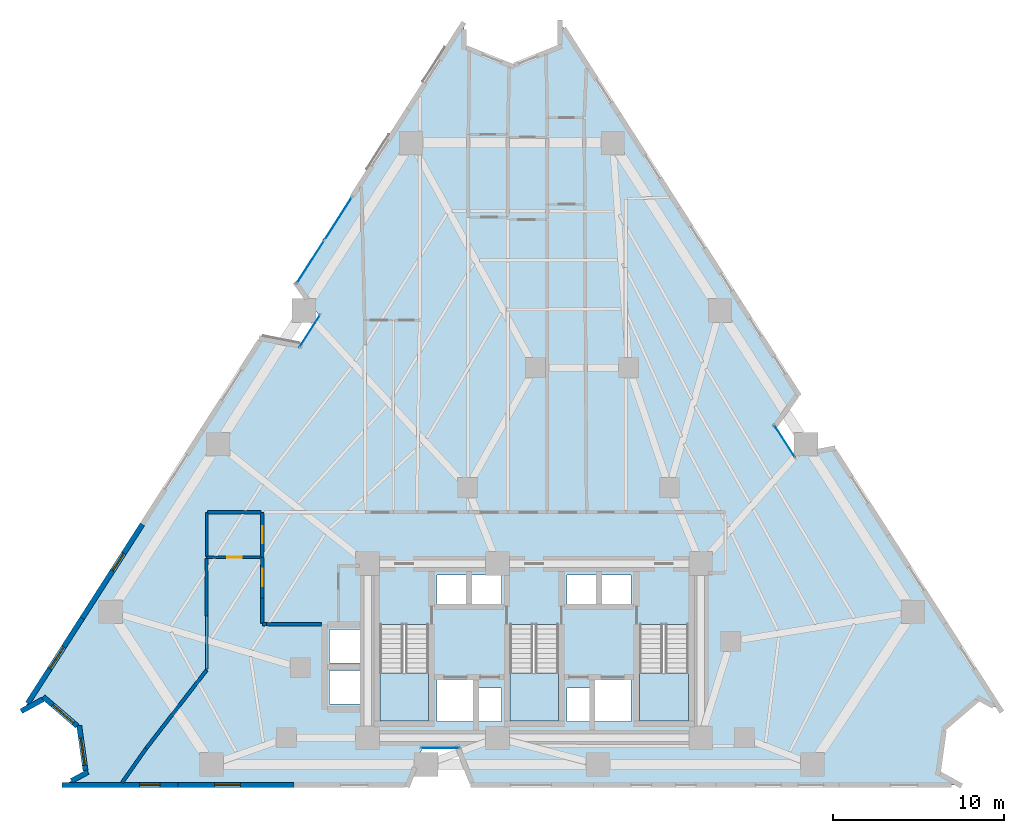
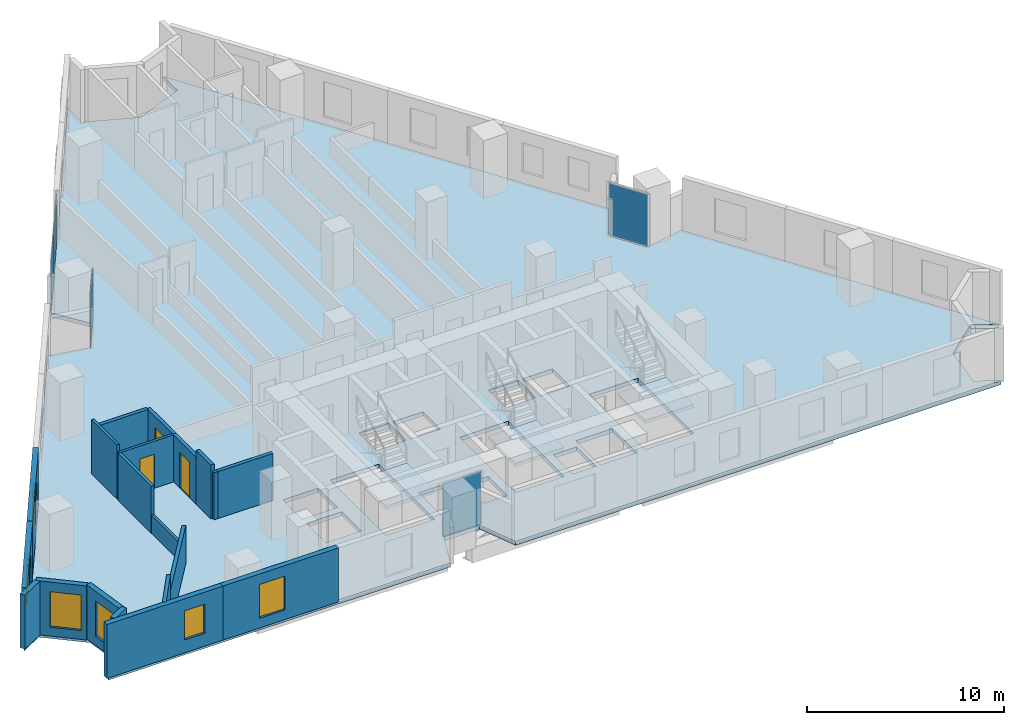
# One storey, part 7 of 13: 20 walls, 6 windows, 5 plates, 4 slabs, 3 doors, 9 openings, 7 elements without a shape of their own.
"""IFC4 building model written with IfcOpenShell, lengths in metres."""

from ifc_helpers import new_model, si_unit, direction, frame, frame_2d, origin, origin_2d, place, context, subcontext, project, spatial, polyline, rectangle, outline, extrude, material, layer, layer_set, type_object, element, fill, aggregate, save


model = new_model("IFC4")

# Units and contexts
model_context = context("Model", 3, precision=1e-05, world=origin(), true_north=direction((0.0, 1.0)))
body_context = subcontext(model_context, "Body", "Model", "MODEL_VIEW")
ifc_project = project(units=[si_unit("LENGTHUNIT", "METRE"), si_unit("AREAUNIT", "SQUARE_METRE"), si_unit("VOLUMEUNIT", "CUBIC_METRE"), si_unit("PLANEANGLEUNIT", "RADIAN"), si_unit("MASSUNIT", "GRAM", prefix="KILO")], contexts=[model_context])

# Site, building, storey
site_placement = place(None, origin())
site = spatial("IfcSite", under=ifc_project, at=site_placement, CompositionType="ELEMENT")
building_placement = place(site_placement, origin())
building = spatial("IfcBuilding", under=site, at=building_placement, Name="Almagre Mirador Tower", CompositionType="ELEMENT")
storey_placement = place(building_placement, frame((0.0, 0.0, 49.800048828125)))
storey = spatial("IfcBuildingStorey", under=building, at=storey_placement, Name="L11", CompositionType="ELEMENT", Elevation=49.800048828125)

# Curtain wall, plate
ifc_material_1 = material(Name="Black anodized aluminium", Category="aluminium")
ifc_layer_1 = layer(ifc_material_1, 0.169921875)
ifc_layer_set_1 = layer_set([ifc_layer_1], Name="Black anodized aluminium")
curtain_wall_type_1 = type_object("IfcCurtainWallType", Name="CW-CRS-SYS", PredefinedType="NOTDEFINED", material=ifc_layer_set_1)
curtain_wall_1_placement = place(storey_placement, origin())
curtain_wall_1 = element("IfcCurtainWall", 1, at=curtain_wall_1_placement, inside=storey, type_object=curtain_wall_type_1, Name="L11 vertical crease curtain wall 01", PredefinedType="NOTDEFINED")
ifc_material_2 = material(Name="Dark solar-control laminated hurricane glass", Category="glass")
ifc_layer_2 = layer(ifc_material_2, 0.028076171875)
ifc_layer_set_2 = layer_set([ifc_layer_2], Name="Dark solar-control laminated hurricane glass")
plate_type_1 = type_object("IfcPlateType", Name="PLT-GLZ-28", PredefinedType="CURTAIN_PANEL", material=ifc_layer_set_2)
plate_1_placement = place(storey_placement, frame((24.173095703125, 28.359619140625, 0.06005859375), z_axis=(0.0, 0.0, 1.0), x_axis=(0.539848636718, 0.841762109764, 0.0)))
plate_1 = element("IfcPlate", 2, at=plate_1_placement, type_object=plate_type_1, Name="CW-4 panel 1.1", PredefinedType="CURTAIN_PANEL", context=body_context, shape_type="SweptSolid", body=[
    extrude(rectangle(XDim=2.24951171875, YDim=0.028076171875, at=origin_2d()), origin(), (0.0, 0.0, 1.0), 3.22998046875),
])
aggregate(curtain_wall_1, [plate_1])

curtain_wall_2_placement = place(storey_placement, origin())
curtain_wall_2 = element("IfcCurtainWall", 3, at=curtain_wall_2_placement, inside=storey, type_object=curtain_wall_type_1, Name="L11 vertical crease curtain wall 03", PredefinedType="NOTDEFINED")
plate_2_placement = place(storey_placement, frame((51.952880859375, 21.92041015625, 0.06005859375), z_axis=(0.0, 0.0, 1.0), x_axis=(0.539848636718, -0.841762109764, 0.0)))
plate_2 = element("IfcPlate", 4, at=plate_2_placement, type_object=plate_type_1, Name="CW-4 panel 1.1", PredefinedType="CURTAIN_PANEL", context=body_context, shape_type="SweptSolid", body=[
    extrude(rectangle(XDim=2.24951171875, YDim=0.028076171875, at=origin_2d()), origin(), (0.0, 0.0, 1.0), 3.22998046875),
])
aggregate(curtain_wall_2, [plate_2])

curtain_wall_3_placement = place(storey_placement, origin())
curtain_wall_3 = element("IfcCurtainWall", 5, at=curtain_wall_3_placement, inside=storey, type_object=curtain_wall_type_1, Name="L11 vertical crease curtain wall 04", PredefinedType="NOTDEFINED")
plate_3_placement = place(storey_placement, frame((31.80810546875, 3.949951171875, 0.06005859375), z_axis=(0.0, 0.0, 1.0), x_axis=(-1.0, 0.0, 0.0)))
plate_3 = element("IfcPlate", 6, at=plate_3_placement, type_object=plate_type_1, Name="CW-4 panel 1.1", PredefinedType="CURTAIN_PANEL", context=body_context, shape_type="SweptSolid", body=[
    extrude(rectangle(XDim=2.25, YDim=0.028076171875, at=origin_2d()), origin(), (0.0, 0.0, 1.0), 3.22998046875),
])
aggregate(curtain_wall_3, [plate_3])

# Curtain wall, plates
ifc_material_3 = material(Name="Black anodized aluminium", Category="aluminium")
ifc_layer_3 = layer(ifc_material_3, 0.18994140625)
ifc_layer_set_3 = layer_set([ifc_layer_3], Name="Black anodized aluminium")
curtain_wall_type_2 = type_object("IfcCurtainWallType", Name="CW-RES-L-SYS", PredefinedType="NOTDEFINED", material=ifc_layer_set_3)
curtain_wall_4_placement = place(storey_placement, origin())
curtain_wall_4 = element("IfcCurtainWall", 7, at=curtain_wall_4_placement, inside=storey, type_object=curtain_wall_type_2, Name="L11 curtain wall run 02", PredefinedType="NOTDEFINED")
ifc_material_4 = material(Name="Dark solar-control laminated hurricane glass", Category="glass")
ifc_layer_4 = layer(ifc_material_4, 0.031982421875)
ifc_layer_set_4 = layer_set([ifc_layer_4], Name="Dark solar-control laminated hurricane glass")
plate_type_2 = type_object("IfcPlateType", Name="PLT-GLZ-32", PredefinedType="CURTAIN_PANEL", material=ifc_layer_set_4)
plate_4_placement = place(storey_placement, frame((24.2138671875, 32.407958984375, 0.06005859375), z_axis=(0.0, 0.0, 1.0), x_axis=(0.539529022287, 0.841967002982, 0.0)))
plate_4 = element("IfcPlate", 8, at=plate_4_placement, type_object=plate_type_2, Name="CW-2 panel 1.1", PredefinedType="CURTAIN_PANEL", context=body_context, shape_type="SweptSolid", body=[
    extrude(rectangle(XDim=2.931640625, YDim=0.031982421875, at=origin_2d()), origin(), (0.0, 0.0, 1.0), 3.22998046875),
])
plate_5_placement = place(storey_placement, frame((25.830810546875, 34.93115234375, 0.06005859375), z_axis=(0.0, 0.0, 1.0), x_axis=(0.539529022287, 0.841967002982, 0.0)))
plate_5 = element("IfcPlate", 9, at=plate_5_placement, type_object=plate_type_2, Name="CW-2 panel 2.1", PredefinedType="CURTAIN_PANEL", context=body_context, shape_type="SweptSolid", body=[
    extrude(rectangle(XDim=2.931640625, YDim=0.031982421875, at=origin_2d()), origin(), (0.0, 0.0, 1.0), 3.22998046875),
])
aggregate(curtain_wall_4, [plate_4, plate_5])

# Slab
ifc_material_5 = material(Name="Concrete C45/55", Category="concrete")
ifc_layer_5 = layer(ifc_material_5, 0.25)
ifc_layer_set_5 = layer_set([ifc_layer_5], Name="Concrete C45/55")
slab_type_1 = type_object("IfcSlabType", Name="SLB-FLR-250", PredefinedType="FLOOR", material=ifc_layer_set_5)
slab_1_placement = place(storey_placement, frame((0.0, 0.0, -0.25)))
element("IfcSlab", 10, at=slab_1_placement, inside=storey, type_object=slab_type_1, Name="L11 structural floor slab", PredefinedType="FLOOR", context=body_context, shape_type="SweptSolid", body=[
    extrude(outline(polyline([(7.406005859375, 6.177978515625), (8.6689453125, 6.868896484375), (10.69189453125, 5.132080078125), (11.06298828125, 2.490966796875), (9.800048828125, 1.800048828125), (29.907958984375, 1.800048828125), (30.762939453125, 3.949951171875), (32.85302734375, 3.949951171875), (33.7080078125, 1.800048828125), (62.199951171875, 1.800048828125), (60.93701171875, 2.490966796875), (61.30810546875, 5.132080078125), (63.3310546875, 6.868896484375), (64.593994140625, 6.177978515625), (54.7880859375, 21.48095703125), (52.51708984375, 21.041015625), (51.388916015625, 22.800048828125), (52.738037109375, 24.679931640625), (38.805908203125, 46.422119140625), (38.805908203125, 44.98193359375), (36.0, 43.85595703125), (33.194091796875, 44.98193359375), (33.194091796875, 46.422119140625), (23.387939453125, 31.118896484375), (24.737060546875, 29.239013671875), (23.60888671875, 27.47998046875), (21.337890625, 27.919921875), (7.406005859375, 6.177978515625)]), holes=[polyline([(43.47509765625, 11.196044921875), (46.324951171875, 11.196044921875), (46.324951171875, 5.550048828125), (43.47509765625, 5.550048828125), (43.47509765625, 11.196044921875)]), polyline([(40.820068359375, 5.52001953125), (40.820068359375, 7.97998046875), (42.97998046875, 7.97998046875), (42.97998046875, 5.52001953125), (40.820068359375, 5.52001953125)]), polyline([(41.219970703125, 12.320068359375), (41.219970703125, 14.080078125), (42.97998046875, 14.080078125), (42.97998046875, 12.320068359375), (41.219970703125, 12.320068359375)]), polyline([(39.219970703125, 12.320068359375), (39.219970703125, 14.080078125), (40.97998046875, 14.080078125), (40.97998046875, 12.320068359375), (39.219970703125, 12.320068359375)]), polyline([(39.219970703125, 5.52001953125), (39.219970703125, 7.47998046875), (40.580078125, 7.47998046875), (40.580078125, 5.52001953125), (39.219970703125, 5.52001953125)]), polyline([(35.875, 11.196044921875), (38.72509765625, 11.196044921875), (38.72509765625, 5.550048828125), (35.875, 5.550048828125), (35.875, 11.196044921875)]), polyline([(35.3798828125, 5.52001953125), (34.02001953125, 5.52001953125), (34.02001953125, 7.47998046875), (35.3798828125, 7.47998046875), (35.3798828125, 5.52001953125)]), polyline([(35.3798828125, 12.320068359375), (33.6201171875, 12.320068359375), (33.6201171875, 14.080078125), (35.3798828125, 14.080078125), (35.3798828125, 12.320068359375)]), polyline([(31.6201171875, 5.52001953125), (31.6201171875, 7.97998046875), (33.780029296875, 7.97998046875), (33.780029296875, 5.52001953125), (31.6201171875, 5.52001953125)]), polyline([(31.6201171875, 12.320068359375), (31.6201171875, 14.080078125), (33.3798828125, 14.080078125), (33.3798828125, 12.320068359375), (31.6201171875, 12.320068359375)]), polyline([(28.27490234375, 5.550048828125), (28.27490234375, 11.196044921875), (31.125, 11.196044921875), (31.125, 5.550048828125), (28.27490234375, 5.550048828125)]), polyline([(25.320068359375, 6.52001953125), (25.320068359375, 8.47998046875), (27.3798828125, 8.47998046875), (27.3798828125, 6.52001953125), (25.320068359375, 6.52001953125)]), polyline([(25.320068359375, 8.919921875), (25.320068359375, 10.8798828125), (27.3798828125, 10.8798828125), (27.3798828125, 8.919921875), (25.320068359375, 8.919921875)])]), origin(), (0.0, 0.0, 1.0), 0.25),
])

# Stair, slab
ifc_material_6 = material(Name="Concrete C45/55", Category="concrete")
stair_type = type_object("IfcStairType", Name="STR-DL-3600", PredefinedType="HALF_TURN_STAIR", material=ifc_material_6)
stair_1_placement = place(storey_placement, origin())
stair_1 = element("IfcStair", 11, at=stair_1_placement, inside=storey, type_object=stair_type, Name="L11 Protected exit stair ST-1", PredefinedType="HALF_TURN_STAIR")
ifc_material_7 = material(Name="Concrete C45/55", Category="concrete")
ifc_layer_6 = layer(ifc_material_7, 0.199951171875)
ifc_layer_set_6 = layer_set([ifc_layer_6], Name="Concrete C45/55")
slab_type_2 = type_object("IfcSlabType", Name="SLB-LND-200", PredefinedType="LANDING", material=ifc_layer_set_6)
slab_2_placement = place(storey_placement, frame((0.0, 0.0, 1.599853515625)))
slab_2 = element("IfcSlab", 12, at=slab_2_placement, type_object=slab_type_2, Name="ST-1 landing 1", PredefinedType="LANDING", context=body_context, shape_type="SweptSolid", body=[
    extrude(outline(polyline([(28.27490234375, 8.35009765625), (28.27490234375, 5.550048828125), (31.125, 5.550048828125), (31.125, 8.35009765625), (28.27490234375, 8.35009765625)])), origin(), (0.0, 0.0, 1.0), 0.2001953125),
])
aggregate(stair_1, [slab_2])

stair_2_placement = place(storey_placement, origin())
stair_2 = element("IfcStair", 13, at=stair_2_placement, inside=storey, type_object=stair_type, Name="L11 Protected exit stair ST-2", PredefinedType="HALF_TURN_STAIR")
slab_3_placement = place(storey_placement, frame((0.0, 0.0, 1.599853515625)))
slab_3 = element("IfcSlab", 14, at=slab_3_placement, type_object=slab_type_2, Name="ST-2 landing 1", PredefinedType="LANDING", context=body_context, shape_type="SweptSolid", body=[
    extrude(outline(polyline([(35.875, 8.35009765625), (35.875, 5.550048828125), (38.72509765625, 5.550048828125), (38.72509765625, 8.35009765625), (35.875, 8.35009765625)])), origin(), (0.0, 0.0, 1.0), 0.2001953125),
])
aggregate(stair_2, [slab_3])

stair_3_placement = place(storey_placement, origin())
stair_3 = element("IfcStair", 15, at=stair_3_placement, inside=storey, type_object=stair_type, Name="L11 Protected exit stair ST-3", PredefinedType="HALF_TURN_STAIR")
slab_4_placement = place(storey_placement, frame((0.0, 0.0, 1.599853515625)))
slab_4 = element("IfcSlab", 16, at=slab_4_placement, type_object=slab_type_2, Name="ST-3 landing 1", PredefinedType="LANDING", context=body_context, shape_type="SweptSolid", body=[
    extrude(outline(polyline([(43.47509765625, 8.35009765625), (43.47509765625, 5.550048828125), (46.324951171875, 5.550048828125), (46.324951171875, 8.35009765625), (43.47509765625, 8.35009765625)])), origin(), (0.0, 0.0, 1.0), 0.2001953125),
])
aggregate(stair_3, [slab_4])

# Wall, opening, window
ifc_material_8 = material(Name="Precast concrete C50/60", Category="concrete")
ifc_layer_7 = layer(ifc_material_8, 0.300048828125)
ifc_layer_set_7 = layer_set([ifc_layer_7], Name="Precast concrete C50/60")
wall_type_1 = type_object("IfcWallType", Name="WAL-EXT-300", PredefinedType="SOLIDWALL", material=ifc_layer_set_7)
wall_1_placement = place(storey_placement, frame((23.251953125, 1.800048828125, 0.0), z_axis=(0.0, 0.0, 1.0), x_axis=(-1.0, 0.0, 0.0)))
wall_1 = element("IfcWall", 17, at=wall_1_placement, inside=storey, type_object=wall_type_1, Name="L11 expressed almagre precast frame wall 29", PredefinedType="SOLIDWALL", context=body_context, shape_type="SweptSolid", body=[
    extrude(rectangle(XDim=6.7958984375, YDim=0.300048828125, at=frame_2d((3.39794921875, 0.0))), origin(), (0.0, 0.0, 1.0), 3.349853515625),
])
opening_1_placement = place(wall_1_placement, frame((3.14990234375, 0.0, 0.60009765625)))
opening_1 = element("IfcOpeningElement", 18, at=opening_1_placement, cuts=wall_1, Name="Opening WN-03", PredefinedType="OPENING", context=body_context, shape_type="SweptSolid", body=[
    extrude(rectangle(XDim=1.5, YDim=2.10009765625, at=frame_2d((0.75, 1.050048828125))), frame((0.0, 0.159902, 0.0), z_axis=(0.0, -1.0, 0.0), x_axis=(1.0, 0.0, 0.0)), (0.0, 0.0, 1.0), 0.320049),
])
ifc_material_9 = material(Name="Dark solar-control laminated hurricane glass", Category="glass")
window_type_1 = type_object("IfcWindowType", Name="WIN-1500X2100", PartitioningType="DOUBLE_PANEL_VERTICAL", PredefinedType="WINDOW", material=ifc_material_9)
window_1_placement = place(opening_1_placement, origin())
window_1 = element("IfcWindow", 19, at=window_1_placement, inside=storey, type_object=window_type_1, Name="L11 recessed hurricane window L11-UB-ST", OverallHeight=2.10009765625, OverallWidth=1.5, PartitioningType="SINGLE_PANEL", PredefinedType="WINDOW", context=body_context, shape_type="SweptSolid", body=[
    extrude(rectangle(XDim=1.5, YDim=2.10009765625, at=frame_2d((0.75, 1.050048828125))), frame((0.0, 0.030029296875, 0.0), z_axis=(0.0, -1.0, 0.0), x_axis=(1.0, 0.0, 0.0)), (0.0, 0.0, 1.0), 0.06005859375),
])
fill(opening_1, window_1)

wall_2_placement = place(storey_placement, frame((16.4560546875, 1.800048828125, 0.0), z_axis=(0.0, 0.0, 1.0), x_axis=(-1.0, 0.0, 0.0)))
wall_2 = element("IfcWall", 20, at=wall_2_placement, inside=storey, type_object=wall_type_1, Name="L11 expressed almagre precast frame wall 30", PredefinedType="SOLIDWALL", context=body_context, shape_type="SweptSolid", body=[
    extrude(rectangle(XDim=6.796142578125, YDim=0.300048828125, at=frame_2d((3.39794921875, 0.0))), origin(), (0.0, 0.0, 1.0), 3.349853515625),
])
opening_2_placement = place(wall_2_placement, frame((1.050048828125, 0.0, 0.800048828125)))
opening_2 = element("IfcOpeningElement", 21, at=opening_2_placement, cuts=wall_2, Name="Opening WN-04", PredefinedType="OPENING", context=body_context, shape_type="SweptSolid", body=[
    extrude(rectangle(XDim=1.199951171875, YDim=1.800048828125, at=frame_2d((0.60009765625, 0.89990234375))), frame((0.0, 0.159902, 0.0), z_axis=(0.0, -1.0, 0.0), x_axis=(1.0, 0.0, 0.0)), (0.0, 0.0, 1.0), 0.320049),
])
ifc_material_10 = material(Name="Dark solar-control laminated hurricane glass", Category="glass")
window_type_2 = type_object("IfcWindowType", Name="WIN-1200X1800", PartitioningType="SINGLE_PANEL", PredefinedType="WINDOW", material=ifc_material_10)
window_2_placement = place(opening_2_placement, origin())
window_2 = element("IfcWindow", 22, at=window_2_placement, inside=storey, type_object=window_type_2, Name="L11 recessed hurricane window L11-UB-ST", OverallHeight=1.800048828125, OverallWidth=1.199951171875, PartitioningType="SINGLE_PANEL", PredefinedType="WINDOW", context=body_context, shape_type="SweptSolid", body=[
    extrude(rectangle(XDim=1.199951171875, YDim=1.800048828125, at=frame_2d((0.60009765625, 0.89990234375))), frame((0.0, 0.030029296875, 0.0), z_axis=(0.0, -1.0, 0.0), x_axis=(1.0, 0.0, 0.0)), (0.0, 0.0, 1.0), 0.06005859375),
])
fill(opening_2, window_2)

# Wall
wall_3_placement = place(storey_placement, frame((10.22119140625, 2.030517578125, 0.0), z_axis=(0.0, 0.0, 1.0), x_axis=(0.877343386297, 0.479863087266, 0.0)))
element("IfcWall", 23, at=wall_3_placement, inside=storey, type_object=wall_type_1, Name="L11 expressed almagre precast frame wall 31", PredefinedType="SOLIDWALL", context=body_context, shape_type="SweptSolid", body=[
    extrude(rectangle(XDim=1.099365234375, YDim=0.300048828125, at=frame_2d((0.5498046875, 0.0))), origin(), (0.0, 0.0, 1.0), 3.349853515625),
])

# Wall, opening, window
wall_4_placement = place(storey_placement, frame((11.044189453125, 2.624755859375, 0.0), z_axis=(0.0, 0.0, 1.0), x_axis=(-0.139079814349, 0.990281174839, 0.0)))
wall_4 = element("IfcWall", 24, at=wall_4_placement, inside=storey, type_object=wall_type_1, Name="L11 expressed almagre precast frame wall 32", PredefinedType="SOLIDWALL", context=body_context, shape_type="SweptSolid", body=[
    extrude(rectangle(XDim=2.671630859375, YDim=0.300048828125, at=frame_2d((1.3359375, 0.0))), origin(), (0.0, 0.0, 1.0), 3.349853515625),
])
opening_3_placement = place(wall_4_placement, frame((0.324951171875, 0.0, 0.550048828125)))
opening_3 = element("IfcOpeningElement", 25, at=opening_3_placement, cuts=wall_4, Name="Opening WN-06", PredefinedType="OPENING", context=body_context, shape_type="SweptSolid", body=[
    extrude(rectangle(XDim=1.60009765625, YDim=2.199951171875, at=frame_2d((0.800048828125, 1.10009765625))), frame((0.0, 0.159902, 0.0), z_axis=(0.0, -1.0, 0.0), x_axis=(1.0, 0.0, 0.0)), (0.0, 0.0, 1.0), 0.320049),
])
ifc_material_11 = material(Name="Dark solar-control laminated hurricane glass", Category="glass")
window_type_3 = type_object("IfcWindowType", Name="WIN-1600X2200", PartitioningType="DOUBLE_PANEL_VERTICAL", PredefinedType="WINDOW", material=ifc_material_11)
window_3_placement = place(opening_3_placement, origin())
window_3 = element("IfcWindow", 26, at=window_3_placement, inside=storey, type_object=window_type_3, Name="L11 recessed hurricane window L11-UA-ST", OverallHeight=2.199951171875, OverallWidth=1.60009765625, PartitioningType="SINGLE_PANEL", PredefinedType="WINDOW", context=body_context, shape_type="SweptSolid", body=[
    extrude(rectangle(XDim=1.60009765625, YDim=2.199951171875, at=frame_2d((0.800048828125, 1.10009765625))), frame((0.0, 0.030029296875, 0.0), z_axis=(0.0, -1.0, 0.0), x_axis=(1.0, 0.0, 0.0)), (0.0, 0.0, 1.0), 0.06005859375),
])
fill(opening_3, window_3)

wall_5_placement = place(storey_placement, frame((10.574462890625, 5.23291015625, 0.0), z_axis=(0.0, 0.0, 1.0), x_axis=(-0.758703874518, 0.651435668958, 0.0)))
wall_5 = element("IfcWall", 27, at=wall_5_placement, inside=storey, type_object=wall_type_1, Name="L11 expressed almagre precast frame wall 33", PredefinedType="SOLIDWALL", context=body_context, shape_type="SweptSolid", body=[
    extrude(rectangle(XDim=2.651611328125, YDim=0.300048828125, at=frame_2d((1.32568359375, 0.0))), origin(), (0.0, 0.0, 1.0), 3.349853515625),
])
opening_4_placement = place(wall_5_placement, frame((0.304931640625, 0.0, 0.550048828125)))
opening_4 = element("IfcOpeningElement", 28, at=opening_4_placement, cuts=wall_5, Name="Opening WN-06", PredefinedType="OPENING", context=body_context, shape_type="SweptSolid", body=[
    extrude(rectangle(XDim=1.60009765625, YDim=2.199951171875, at=frame_2d((0.800048828125, 1.10009765625))), frame((0.0, 0.159902, 0.0), z_axis=(0.0, -1.0, 0.0), x_axis=(1.0, 0.0, 0.0)), (0.0, 0.0, 1.0), 0.320049),
])
window_4_placement = place(opening_4_placement, origin())
window_4 = element("IfcWindow", 29, at=window_4_placement, inside=storey, type_object=window_type_3, Name="L11 recessed hurricane window L11-UA-ST", OverallHeight=2.199951171875, OverallWidth=1.60009765625, PartitioningType="SINGLE_PANEL", PredefinedType="WINDOW", context=body_context, shape_type="SweptSolid", body=[
    extrude(rectangle(XDim=1.60009765625, YDim=2.199951171875, at=frame_2d((0.800048828125, 1.10009765625))), frame((0.0, 0.030029296875, 0.0), z_axis=(0.0, -1.0, 0.0), x_axis=(1.0, 0.0, 0.0)), (0.0, 0.0, 1.0), 0.06005859375),
])
fill(opening_4, window_4)

# Wall
wall_6_placement = place(storey_placement, frame((8.546142578125, 6.8017578125, 0.0), z_axis=(0.0, 0.0, 1.0), x_axis=(-0.877298620335, -0.479944924714, 0.0)))
element("IfcWall", 30, at=wall_6_placement, inside=storey, type_object=wall_type_1, Name="L11 expressed almagre precast frame wall 34", PredefinedType="SOLIDWALL", context=body_context, shape_type="SweptSolid", body=[
    extrude(rectangle(XDim=1.439697265625, YDim=0.300048828125, at=frame_2d((0.7197265625, 0.0))), origin(), (0.0, 0.0, 1.0), 3.349853515625),
])

# Wall, opening, window
wall_7_placement = place(storey_placement, frame((7.662353515625, 6.577880859375, 0.0), z_axis=(0.0, 0.0, 1.0), x_axis=(0.539510725342, 0.841978727309, 0.0)))
wall_7 = element("IfcWall", 31, at=wall_7_placement, inside=storey, type_object=wall_type_1, Name="L11 expressed almagre precast frame wall 35", PredefinedType="SOLIDWALL", context=body_context, shape_type="SweptSolid", body=[
    extrude(rectangle(XDim=5.910888671875, YDim=0.300048828125, at=frame_2d((2.95556640625, 0.0))), origin(), (0.0, 0.0, 1.0), 3.349853515625),
])
opening_5_placement = place(wall_7_placement, frame((2.409912109375, 0.0, 0.60009765625)))
opening_5 = element("IfcOpeningElement", 32, at=opening_5_placement, cuts=wall_7, Name="Opening WN-03", PredefinedType="OPENING", context=body_context, shape_type="SweptSolid", body=[
    extrude(rectangle(XDim=1.5, YDim=2.10009765625, at=frame_2d((0.75, 1.050048828125))), frame((0.0, 0.159902, 0.0), z_axis=(0.0, -1.0, 0.0), x_axis=(1.0, 0.0, 0.0)), (0.0, 0.0, 1.0), 0.320049),
])
window_5_placement = place(opening_5_placement, origin())
window_5 = element("IfcWindow", 33, at=window_5_placement, inside=storey, type_object=window_type_1, Name="L11 recessed hurricane window L11-UA-ST", OverallHeight=2.10009765625, OverallWidth=1.5, PartitioningType="SINGLE_PANEL", PredefinedType="WINDOW", context=body_context, shape_type="SweptSolid", body=[
    extrude(rectangle(XDim=1.5, YDim=2.10009765625, at=frame_2d((0.75, 1.050048828125))), frame((0.0, 0.030029296875, 0.0), z_axis=(0.0, -1.0, 0.0), x_axis=(1.0, 0.0, 0.0)), (0.0, 0.0, 1.0), 0.06005859375),
])
fill(opening_5, window_5)

wall_8_placement = place(storey_placement, frame((10.851318359375, 11.5546875, 0.0), z_axis=(0.0, 0.0, 1.0), x_axis=(0.539526045631, 0.841968910403, 0.0)))
wall_8 = element("IfcWall", 34, at=wall_8_placement, inside=storey, type_object=wall_type_1, Name="L11 expressed almagre precast frame wall 36", PredefinedType="SOLIDWALL", context=body_context, shape_type="SweptSolid", body=[
    extrude(rectangle(XDim=6.525634765625, YDim=0.300048828125, at=frame_2d((3.2626953125, 0.0))), origin(), (0.0, 0.0, 1.0), 3.349853515625),
])
opening_6_placement = place(wall_8_placement, frame((3.300048828125, 0.0, 0.800048828125)))
opening_6 = element("IfcOpeningElement", 35, at=opening_6_placement, cuts=wall_8, Name="Opening WN-04", PredefinedType="OPENING", context=body_context, shape_type="SweptSolid", body=[
    extrude(rectangle(XDim=1.199951171875, YDim=1.800048828125, at=frame_2d((0.60009765625, 0.89990234375))), frame((0.0, 0.159902, 0.0), z_axis=(0.0, -1.0, 0.0), x_axis=(1.0, 0.0, 0.0)), (0.0, 0.0, 1.0), 0.320049),
])
window_6_placement = place(opening_6_placement, origin())
window_6 = element("IfcWindow", 36, at=window_6_placement, inside=storey, type_object=window_type_2, Name="L11 recessed hurricane window L11-UA-KT", OverallHeight=1.800048828125, OverallWidth=1.199951171875, PartitioningType="SINGLE_PANEL", PredefinedType="WINDOW", context=body_context, shape_type="SweptSolid", body=[
    extrude(rectangle(XDim=1.199951171875, YDim=1.800048828125, at=frame_2d((0.60009765625, 0.89990234375))), frame((0.0, 0.030029296875, 0.0), z_axis=(0.0, -1.0, 0.0), x_axis=(1.0, 0.0, 0.0)), (0.0, 0.0, 1.0), 0.06005859375),
])
fill(opening_6, window_6)

# Wall, opening, door
ifc_material_12 = material(Name="Gypsum acoustic stud partition", Category="other")
ifc_layer_8 = layer(ifc_material_12, 0.14990234375)
ifc_layer_set_8 = layer_set([ifc_layer_8], Name="Gypsum acoustic stud partition")
wall_type_2 = type_object("IfcWallType", Name="WAL-PRT-150-STD", PredefinedType="PARTITIONING", material=ifc_layer_set_8)
wall_9_placement = place(storey_placement, frame((21.31494140625, 15.1201171875, 0.0), z_axis=(0.0, 0.0, 1.0), x_axis=(-1.0, 0.0, 0.0)))
wall_9 = element("IfcWall", 37, at=wall_9_placement, inside=storey, type_object=wall_type_2, Name="L11 interior partition 049", PredefinedType="PARTITIONING", context=body_context, shape_type="SweptSolid", body=[
    extrude(rectangle(XDim=3.18505859375, YDim=0.14990234375, at=frame_2d((1.592529296875, 0.0))), origin(), (0.0, 0.0, 1.0), 2.910888671875),
])
opening_7_placement = place(wall_9_placement, frame((1.125, 0.0, 0.0)))
opening_7 = element("IfcOpeningElement", 38, at=opening_7_placement, cuts=wall_9, Name="Opening UD-04", PredefinedType="OPENING", context=body_context, shape_type="SweptSolid", body=[
    extrude(rectangle(XDim=0.85009765625, YDim=2.10009765625, at=frame_2d((0.425048828125, 1.050048828125))), frame((0.0, 0.084951, 0.0), z_axis=(0.0, -1.0, 0.0), x_axis=(1.0, 0.0, 0.0)), (0.0, 0.0, 1.0), 0.169902),
])
ifc_material_13 = material(Name="Moisture-resistant oak timber", Category="wood")
door_type_1 = type_object("IfcDoorType", Name="DOR-UNR-850X2100", OperationType="NOTDEFINED", PredefinedType="DOOR", material=ifc_material_13)
door_1_placement = place(opening_7_placement, origin())
door_1 = element("IfcDoor", 39, at=door_1_placement, inside=storey, type_object=door_type_1, Name="DR-0357 L11 interior door L11-UF-LV to L11-UF-HB", OperationType="SINGLE_SWING_LEFT", OverallHeight=2.10009765625, OverallWidth=0.85009765625, PredefinedType="DOOR", context=body_context, shape_type="SweptSolid", body=[
    extrude(rectangle(XDim=0.85009765625, YDim=2.10009765625, at=frame_2d((0.425048828125, 1.050048828125))), frame((0.0, 0.02490234375, 0.0), z_axis=(0.0, -1.0, 0.0), x_axis=(1.0, 0.0, 0.0)), (0.0, 0.0, 1.0), 0.050048828125),
])
fill(opening_7, door_1)

# Walls
wall_10_placement = place(storey_placement, frame((18.1298828125, 17.75, 0.0), z_axis=(0.0, 0.0, 1.0), x_axis=(0.0, -1.0, 0.0)))
element("IfcWall", 40, at=wall_10_placement, inside=storey, type_object=wall_type_2, Name="L11 interior partition 052", PredefinedType="PARTITIONING", context=body_context, shape_type="SweptSolid", body=[
    extrude(rectangle(XDim=2.570068359375, YDim=0.14990234375, at=frame_2d((1.28515625, 0.0))), origin(), (0.0, 0.0, 1.0), 3.349853515625),
])
wall_11_placement = place(storey_placement, frame((18.1298828125, 11.669921875, 0.0), z_axis=(0.0, 0.0, 1.0), x_axis=(0.0, -1.0, 0.0)))
element("IfcWall", 41, at=wall_11_placement, inside=storey, type_object=wall_type_2, Name="L11 interior partition 103", PredefinedType="PARTITIONING", context=body_context, shape_type="SweptSolid", body=[
    extrude(rectangle(XDim=3.074951171875, YDim=0.14990234375, at=frame_2d((1.53759765625, 0.0))), origin(), (0.0, 0.0, 1.0), 1.119873046875),
])
ifc_material_14 = material(Name="Gypsum acoustic stud partition", Category="other")
ifc_layer_9 = layer(ifc_material_14, 0.175048828125)
ifc_layer_set_9 = layer_set([ifc_layer_9], Name="Gypsum acoustic stud partition")
wall_type_3 = type_object("IfcWallType", Name="WAL-PRT-175-AC", PredefinedType="PARTITIONING", material=ifc_layer_set_9)
wall_12_placement = place(storey_placement, frame((18.1298828125, 15.06005859375, 0.0), z_axis=(0.0, 0.0, 1.0), x_axis=(0.0, -1.0, 0.0)))
element("IfcWall", 42, at=wall_12_placement, inside=storey, type_object=wall_type_3, Name="L11 interior partition 051", PredefinedType="PARTITIONING", context=body_context, shape_type="SweptSolid", body=[
    extrude(rectangle(XDim=3.39013671875, YDim=0.175048828125, at=frame_2d((1.695068359375, 0.0))), origin(), (0.0, 0.0, 1.0), 2.910888671875),
])
ifc_material_15 = material(Name="Gypsum acoustic stud partition", Category="other")
ifc_layer_10 = layer(ifc_material_15, 0.199951171875)
ifc_layer_set_10 = layer_set([ifc_layer_10], Name="Gypsum acoustic stud partition")
wall_type_4 = type_object("IfcWallType", Name="WAL-PRT-200-EI60", PredefinedType="PARTITIONING", material=ifc_layer_set_10)
wall_13_placement = place(storey_placement, frame((21.39990234375, 11.199951171875, 0.0), z_axis=(0.0, 0.0, 1.0), x_axis=(1.0, 0.0, 0.0)))
element("IfcWall", 43, at=wall_13_placement, inside=storey, type_object=wall_type_4, Name="L11 interior partition 002", PredefinedType="PARTITIONING", context=body_context, shape_type="SweptSolid", body=[
    extrude(rectangle(XDim=0.22998046875, YDim=0.199951171875, at=frame_2d((0.114990234375, 0.0))), origin(), (0.0, 0.0, 1.0), 2.910888671875),
])
wall_14_placement = place(storey_placement, frame((21.6298828125, 11.199951171875, 0.0), z_axis=(0.0, 0.0, 1.0), x_axis=(1.0, 0.0, 0.0)))
element("IfcWall", 44, at=wall_14_placement, inside=storey, type_object=wall_type_4, Name="L11 interior partition 003", PredefinedType="PARTITIONING", context=body_context, shape_type="SweptSolid", body=[
    extrude(rectangle(XDim=3.2392578125, YDim=0.199951171875, at=frame_2d((1.61962890625, 0.0))), origin(), (0.0, 0.0, 1.0), 2.910888671875),
])

# Wall, opening, door
wall_15_placement = place(storey_placement, frame((21.39990234375, 15.1201171875, 0.0), z_axis=(0.0, 0.0, 1.0), x_axis=(0.0, -1.0, 0.0)))
wall_15 = element("IfcWall", 45, at=wall_15_placement, inside=storey, type_object=wall_type_4, Name="L11 interior partition 006", PredefinedType="PARTITIONING", context=body_context, shape_type="SweptSolid", body=[
    extrude(rectangle(XDim=2.3701171875, YDim=0.199951171875, at=frame_2d((1.18505859375, 0.0))), origin(), (0.0, 0.0, 1.0), 2.910888671875),
])
opening_8_placement = place(wall_15_placement, frame((0.68505859375, 0.0, 0.0)))
opening_8 = element("IfcOpeningElement", 46, at=opening_8_placement, cuts=wall_15, Name="Opening ID-01", PredefinedType="OPENING", context=body_context, shape_type="SweptSolid", body=[
    extrude(rectangle(XDim=1.0, YDim=2.199951171875, at=frame_2d((0.5, 1.10009765625))), frame((0.0, 0.110098, 0.0), z_axis=(0.0, -1.0, 0.0), x_axis=(1.0, 0.0, 0.0)), (0.0, 0.0, 1.0), 0.219951),
])
ifc_material_16 = material(Name="Fire-rated walnut timber", Category="wood")
door_type_2 = type_object("IfcDoorType", Name="DOR-FD60-1000X2200", OperationType="NOTDEFINED", PredefinedType="DOOR", material=ifc_material_16)
door_2_placement = place(opening_8_placement, origin())
door_2 = element("IfcDoor", 47, at=door_2_placement, inside=storey, type_object=door_type_2, Name="DR-0356 L11 interior door L11-RCOR to L11-UF-LV", OperationType="SINGLE_SWING_RIGHT", OverallHeight=2.199951171875, OverallWidth=1.0, PredefinedType="DOOR", context=body_context, shape_type="SweptSolid", body=[
    extrude(rectangle(XDim=1.0, YDim=2.199951171875, at=frame_2d((0.5, 1.10009765625))), frame((0.0, 0.02490234375, 0.0), z_axis=(0.0, -1.0, 0.0), x_axis=(1.0, 0.0, 0.0)), (0.0, 0.0, 1.0), 0.050048828125),
])
fill(opening_8, door_2)

wall_16_placement = place(storey_placement, frame((21.39990234375, 17.75, 0.0), z_axis=(0.0, 0.0, 1.0), x_axis=(0.0, -1.0, 0.0)))
wall_16 = element("IfcWall", 48, at=wall_16_placement, inside=storey, type_object=wall_type_4, Name="L11 interior partition 007", PredefinedType="PARTITIONING", context=body_context, shape_type="SweptSolid", body=[
    extrude(rectangle(XDim=2.6298828125, YDim=0.199951171875, at=frame_2d((1.31494140625, 0.0))), origin(), (0.0, 0.0, 1.0), 2.910888671875),
])
opening_9_placement = place(wall_16_placement, frame((0.81494140625, 0.0, 0.0)))
opening_9 = element("IfcOpeningElement", 49, at=opening_9_placement, cuts=wall_16, Name="Opening ID-01", PredefinedType="OPENING", context=body_context, shape_type="SweptSolid", body=[
    extrude(rectangle(XDim=1.0, YDim=2.199951171875, at=frame_2d((0.5, 1.10009765625))), frame((0.0, 0.110098, 0.0), z_axis=(0.0, -1.0, 0.0), x_axis=(1.0, 0.0, 0.0)), (0.0, 0.0, 1.0), 0.219951),
])
door_3_placement = place(opening_9_placement, origin())
door_3 = element("IfcDoor", 50, at=door_3_placement, inside=storey, type_object=door_type_2, Name="DR-0367 L11 interior door L11-RCOR to L11-UF-HB", OperationType="SINGLE_SWING_RIGHT", OverallHeight=2.199951171875, OverallWidth=1.0, PredefinedType="DOOR", context=body_context, shape_type="SweptSolid", body=[
    extrude(rectangle(XDim=1.0, YDim=2.199951171875, at=frame_2d((0.5, 1.10009765625))), frame((0.0, 0.02490234375, 0.0), z_axis=(0.0, -1.0, 0.0), x_axis=(1.0, 0.0, 0.0)), (0.0, 0.0, 1.0), 0.050048828125),
])
fill(opening_9, door_3)

# Walls
wall_17_placement = place(storey_placement, frame((13.18505859375, 1.931884765625, 0.0), z_axis=(0.0, 0.0, 1.0), x_axis=(0.575218554017, 0.81799976474, 0.0)))
element("IfcWall", 51, at=wall_17_placement, inside=storey, type_object=wall_type_4, Name="L11 interior partition 022", PredefinedType="PARTITIONING", context=body_context, shape_type="SweptSolid", body=[
    extrude(rectangle(XDim=2.442626953125, YDim=0.199951171875, at=frame_2d((1.22119140625, 0.0))), origin(), (0.0, 0.0, 1.0), 3.349853515625),
])
wall_18_placement = place(storey_placement, frame((18.1298828125, 8.510009765625, 0.0), z_axis=(0.0, 0.0, 1.0), x_axis=(-0.611517119948, -0.791231200099, 0.0)))
element("IfcWall", 52, at=wall_18_placement, inside=storey, type_object=wall_type_4, Name="L11 interior partition 029", PredefinedType="PARTITIONING", context=body_context, shape_type="SweptSolid", body=[
    extrude(rectangle(XDim=5.78857421875, YDim=0.199951171875, at=frame_2d((2.894287109375, 0.0))), origin(), (0.0, 0.0, 1.0), 2.369873046875),
])
wall_19_placement = place(storey_placement, frame((21.31494140625, 17.75, 0.0), z_axis=(0.0, 0.0, 1.0), x_axis=(-1.0, 0.0, 0.0)))
element("IfcWall", 53, at=wall_19_placement, inside=storey, type_object=wall_type_4, Name="L11 interior partition 053", PredefinedType="PARTITIONING", context=body_context, shape_type="SweptSolid", body=[
    extrude(rectangle(XDim=3.125, YDim=0.199951171875, at=frame_2d((1.5625, 0.0))), origin(), (0.0, 0.0, 1.0), 2.910888671875),
])
wall_20_placement = place(storey_placement, frame((21.39990234375, 12.75, 0.0), z_axis=(0.0, 0.0, 1.0), x_axis=(0.0, -1.0, 0.0)))
element("IfcWall", 54, at=wall_20_placement, inside=storey, type_object=wall_type_4, Name="L11 interior partition 100", PredefinedType="PARTITIONING", context=body_context, shape_type="SweptSolid", body=[
    extrude(rectangle(XDim=1.5, YDim=0.199951171875, at=frame_2d((0.75, 0.0))), origin(), (0.0, 0.0, 1.0), 3.349853515625),
])

save(model, "model.ifc")
